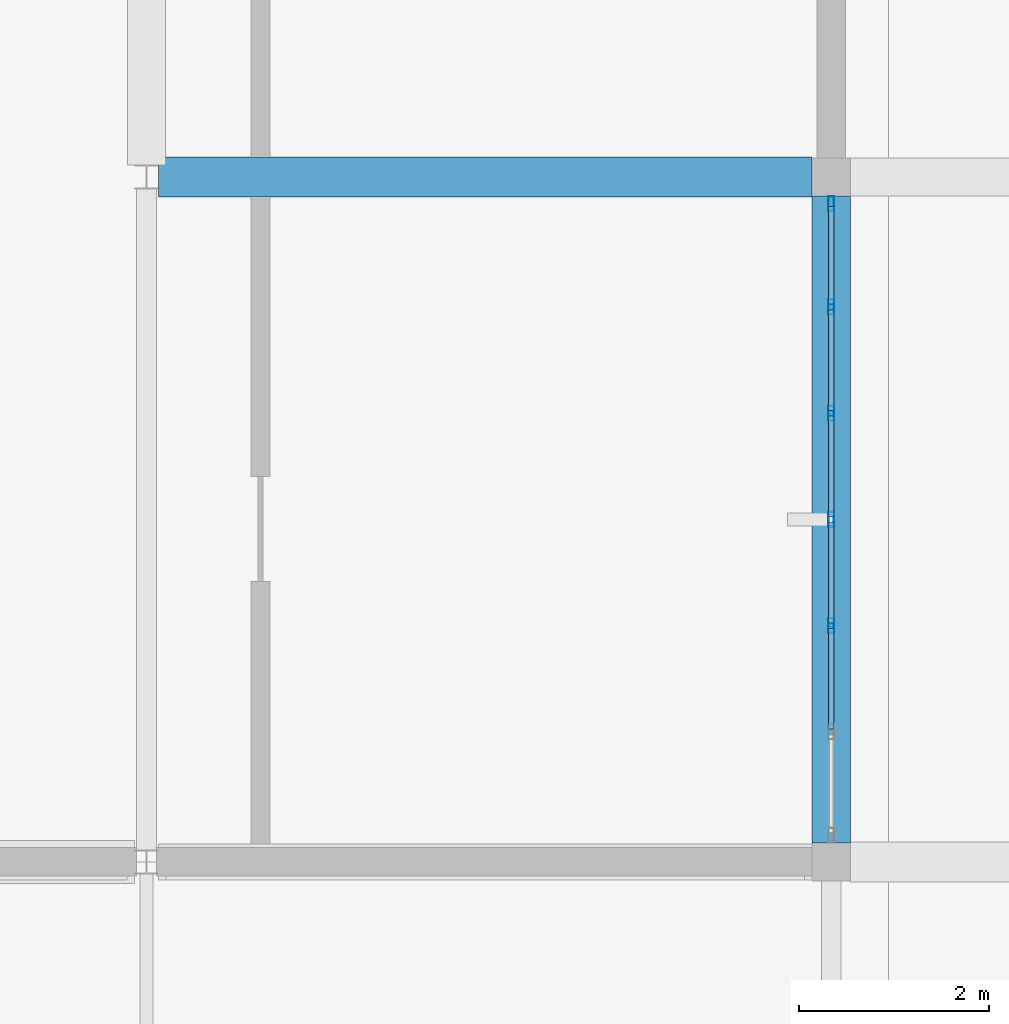
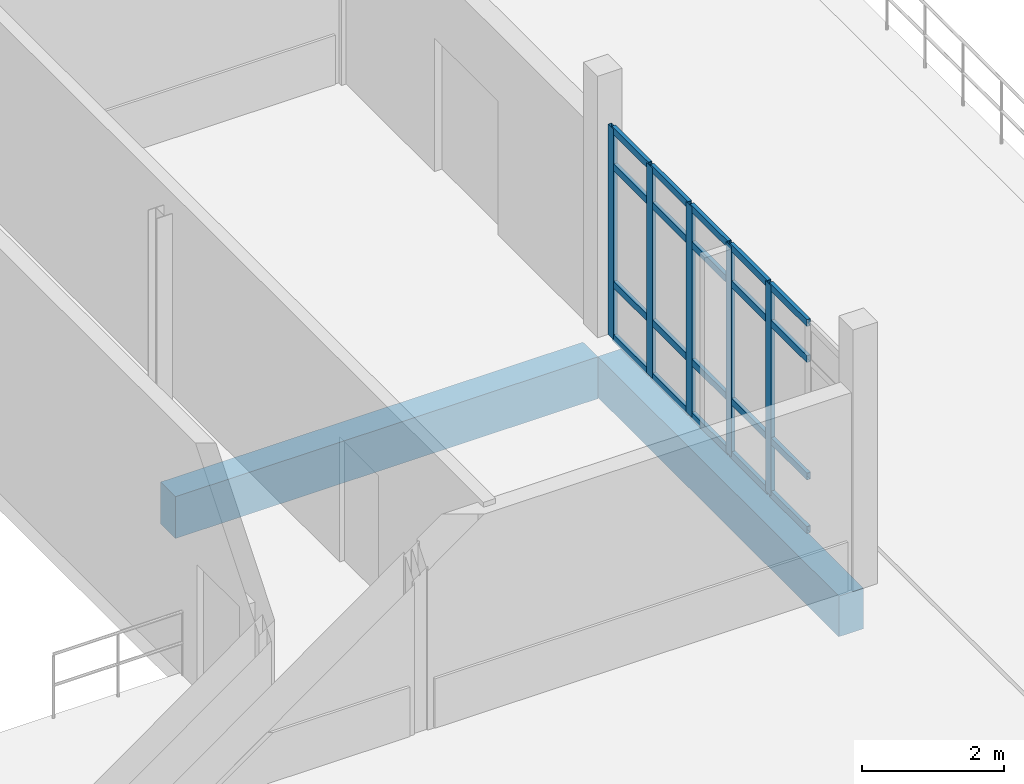
# One storey, part 5 of 41: 25 members, 2 beams, 1 element without a shape of its own.
"""IFC4 building model written with IfcOpenShell, lengths in metres."""

from ifc_helpers import new_model, si_unit, direction, frame, origin, origin_2d, place, context, subcontext, project, spatial, rectangle, hollow_rectangle, extrude, material, material_profile, profile_set, type_object, element, aggregate, save


model = new_model("IFC4")

# Units and contexts
model_context = context("Model", 3, precision=1e-05, world=origin(), true_north=direction((0.0, 1.0)))
body_context = subcontext(model_context, "Body", "Model", "MODEL_VIEW")
ifc_project = project(units=[si_unit("LENGTHUNIT", "METRE"), si_unit("AREAUNIT", "SQUARE_METRE"), si_unit("VOLUMEUNIT", "CUBIC_METRE"), si_unit("PLANEANGLEUNIT", "RADIAN"), si_unit("MASSUNIT", "GRAM", prefix="KILO")], contexts=[model_context])

# Site, building, storey
site_placement = place(None, origin())
site = spatial("IfcSite", under=ifc_project, at=site_placement, CompositionType="ELEMENT")
building_placement = place(site_placement, origin())
building = spatial("IfcBuilding", under=site, at=building_placement, Name="Kalluvel Institute of Natural Sciences", CompositionType="ELEMENT")
storey_placement = place(building_placement, frame((0.0, 0.0, 32.39990234375)))
storey = spatial("IfcBuildingStorey", under=building, at=storey_placement, Name="L07", CompositionType="ELEMENT", Elevation=32.39990234375)

# Beams
ifc_material_1 = material(Name="Concrete M40", Category="concrete")
ifc_material_profile_1 = material_profile(ifc_material_1, rectangle(XDim=0.39990234375, YDim=0.699951171875, at=origin_2d()), Name="RCB 400x700")
ifc_profile_set_1 = profile_set([ifc_material_profile_1], Name="Concrete M40")
beam_type_1 = type_object("IfcBeamType", Name="BM-RC400x700", PredefinedType="BEAM", material=ifc_profile_set_1)
beam_1_placement = place(storey_placement, frame((28.39990234375, 43.0, -0.669921875), z_axis=(0.0, 1.0, 0.0), x_axis=(-1.0, 0.0, 0.0)))
element("IfcBeam", 1, at=beam_1_placement, inside=storey, type_object=beam_type_1, Name="L07 girder GIR-L07-NS-X284-Y428", PredefinedType="BEAM", context=body_context, shape_type="SweptSolid", body=[
    extrude(rectangle(XDim=0.39990234375, YDim=0.699951171875, at=origin_2d()), origin(), (0.0, 0.0, 1.0), 6.800048828125),
])
ifc_material_profile_2 = material_profile(ifc_material_1, rectangle(XDim=0.419921875, YDim=0.719970703125, at=origin_2d()), Name="RCB 420x720")
ifc_profile_set_2 = profile_set([ifc_material_profile_2], Name="Concrete M40")
beam_type_2 = type_object("IfcBeamType", Name="BM-RC420x720", PredefinedType="BEAM", material=ifc_profile_set_2)
beam_2_placement = place(storey_placement, frame((21.324951171875, 50.0, -0.679931640625), z_axis=(1.0, 0.0, 0.0), x_axis=(0.0, 1.0, 0.0)))
element("IfcBeam", 2, at=beam_2_placement, inside=storey, type_object=beam_type_2, Name="L07 girder GIR-L07-EW-X212-Y500", PredefinedType="BEAM", context=body_context, shape_type="SweptSolid", body=[
    extrude(rectangle(XDim=0.419921875, YDim=0.719970703125, at=origin_2d()), origin(), (0.0, 0.0, 1.0), 6.875),
])

# Curtain wall, members
ifc_material_2 = material(Name="Aluminium AW-6063 T6", Category="aluminium")
curtain_wall_type = type_object("IfcCurtainWallType", Name="CW-DRY-45", PredefinedType="USERDEFINED", material=ifc_material_2)
curtain_wall_placement = place(storey_placement, origin())
curtain_wall = element("IfcCurtainWall", 3, at=curtain_wall_placement, inside=storey, type_object=curtain_wall_type, Name="L07 Gothic lancet curtain wall CWA-L07-X284-Y430", ObjectType="UNITISED LANCET FACADE", PredefinedType="USERDEFINED")
ifc_material_profile_3 = material_profile(ifc_material_2, hollow_rectangle(XDim=0.06005859375, YDim=0.159912109375, WallThickness=0.00390625, at=origin_2d()), Name="CWM 60x160")
ifc_profile_set_3 = profile_set([ifc_material_profile_3], Name="Aluminium AW-6063 T6")
member_type_1 = type_object("IfcMemberType", Name="CWM-60x160", PredefinedType="MULLION", material=ifc_profile_set_3)
member_1_placement = place(storey_placement, frame((28.39990234375, 45.283447265625, 0.0), z_axis=(0.0, 0.0, 1.0), x_axis=(-1.0, 0.0, 0.0)))
member_1 = element("IfcMember", 4, at=member_1_placement, type_object=member_type_1, Name="CW-03 mullion 3", PredefinedType="MULLION", context=body_context, shape_type="SweptSolid", body=[
    extrude(hollow_rectangle(XDim=0.06005859375, YDim=0.159912109375, WallThickness=0.00390625, at=origin_2d()), origin(), (0.0, 0.0, 1.0), 3.6201171875),
])
member_2_placement = place(storey_placement, frame((28.39990234375, 46.39990234375, 0.0), z_axis=(0.0, 0.0, 1.0), x_axis=(-1.0, 0.0, 0.0)))
member_2 = element("IfcMember", 5, at=member_2_placement, type_object=member_type_1, Name="CW-03 mullion 4", PredefinedType="MULLION", context=body_context, shape_type="SweptSolid", body=[
    extrude(hollow_rectangle(XDim=0.06005859375, YDim=0.159912109375, WallThickness=0.00390625, at=origin_2d()), origin(), (0.0, 0.0, 1.0), 3.6201171875),
])
member_3_placement = place(storey_placement, frame((28.39990234375, 47.5166015625, 0.0), z_axis=(0.0, 0.0, 1.0), x_axis=(-1.0, 0.0, 0.0)))
member_3 = element("IfcMember", 6, at=member_3_placement, type_object=member_type_1, Name="CW-03 mullion 5", PredefinedType="MULLION", context=body_context, shape_type="SweptSolid", body=[
    extrude(hollow_rectangle(XDim=0.06005859375, YDim=0.159912109375, WallThickness=0.00390625, at=origin_2d()), origin(), (0.0, 0.0, 1.0), 3.6201171875),
])
member_4_placement = place(storey_placement, frame((28.39990234375, 48.63330078125, 0.0), z_axis=(0.0, 0.0, 1.0), x_axis=(-1.0, 0.0, 0.0)))
member_4 = element("IfcMember", 7, at=member_4_placement, type_object=member_type_1, Name="CW-03 mullion 6", PredefinedType="MULLION", context=body_context, shape_type="SweptSolid", body=[
    extrude(hollow_rectangle(XDim=0.06005859375, YDim=0.159912109375, WallThickness=0.00390625, at=origin_2d()), origin(), (0.0, 0.0, 1.0), 3.6201171875),
])
member_5_placement = place(storey_placement, frame((28.39990234375, 49.719970703125, 0.0), z_axis=(0.0, 0.0, 1.0), x_axis=(-1.0, 0.0, 0.0)))
member_5 = element("IfcMember", 8, at=member_5_placement, type_object=member_type_1, Name="CW-03 mullion 7", PredefinedType="MULLION", context=body_context, shape_type="SweptSolid", body=[
    extrude(hollow_rectangle(XDim=0.06005859375, YDim=0.159912109375, WallThickness=0.00390625, at=origin_2d()), origin(), (0.0, 0.0, 1.0), 3.6201171875),
])
ifc_material_profile_4 = material_profile(ifc_material_2, hollow_rectangle(XDim=0.06005859375, YDim=0.1201171875, WallThickness=0.00390625, at=origin_2d()), Name="CWT 60x120")
ifc_profile_set_4 = profile_set([ifc_material_profile_4], Name="Aluminium AW-6063 T6")
member_type_2 = type_object("IfcMemberType", Name="CWT-60x120", PredefinedType="USERDEFINED", material=ifc_profile_set_4)
member_6_placement = place(storey_placement, frame((28.39990234375, 44.19677734375, 0.030029296875), z_axis=(0.0, 1.0, 0.0), x_axis=(-1.0, 0.0, 0.0)))
member_6 = element("IfcMember", 9, at=member_6_placement, type_object=member_type_2, Name="CW-03 transom 2.1", ObjectType="TRANSOM", PredefinedType="USERDEFINED", context=body_context, shape_type="SweptSolid", body=[
    extrude(hollow_rectangle(XDim=0.06005859375, YDim=0.1201171875, WallThickness=0.00390625, at=origin_2d()), origin(), (0.0, 0.0, 1.0), 1.056640625),
])
member_7_placement = place(storey_placement, frame((28.39990234375, 44.19677734375, 0.9501953125), z_axis=(0.0, 1.0, 0.0), x_axis=(-1.0, 0.0, 0.0)))
member_7 = element("IfcMember", 10, at=member_7_placement, type_object=member_type_2, Name="CW-03 transom 2.2", ObjectType="TRANSOM", PredefinedType="USERDEFINED", context=body_context, shape_type="SweptSolid", body=[
    extrude(hollow_rectangle(XDim=0.06005859375, YDim=0.1201171875, WallThickness=0.00390625, at=origin_2d()), origin(), (0.0, 0.0, 1.0), 1.056640625),
])
member_8_placement = place(storey_placement, frame((28.39990234375, 44.19677734375, 2.97021484375), z_axis=(0.0, 1.0, 0.0), x_axis=(-1.0, 0.0, 0.0)))
member_8 = element("IfcMember", 11, at=member_8_placement, type_object=member_type_2, Name="CW-03 transom 2.3", ObjectType="TRANSOM", PredefinedType="USERDEFINED", context=body_context, shape_type="SweptSolid", body=[
    extrude(hollow_rectangle(XDim=0.06005859375, YDim=0.1201171875, WallThickness=0.00390625, at=origin_2d()), origin(), (0.0, 0.0, 1.0), 1.056640625),
])
member_9_placement = place(storey_placement, frame((28.39990234375, 44.19677734375, 3.590087890625), z_axis=(0.0, 1.0, 0.0), x_axis=(-1.0, 0.0, 0.0)))
member_9 = element("IfcMember", 12, at=member_9_placement, type_object=member_type_2, Name="CW-03 transom 2.4", ObjectType="TRANSOM", PredefinedType="USERDEFINED", context=body_context, shape_type="SweptSolid", body=[
    extrude(hollow_rectangle(XDim=0.06005859375, YDim=0.1201171875, WallThickness=0.00390625, at=origin_2d()), origin(), (0.0, 0.0, 1.0), 1.056640625),
])
member_10_placement = place(storey_placement, frame((28.39990234375, 45.313232421875, 0.030029296875), z_axis=(0.0, 1.0, 0.0), x_axis=(-1.0, 0.0, 0.0)))
member_10 = element("IfcMember", 13, at=member_10_placement, type_object=member_type_2, Name="CW-03 transom 3.1", ObjectType="TRANSOM", PredefinedType="USERDEFINED", context=body_context, shape_type="SweptSolid", body=[
    extrude(hollow_rectangle(XDim=0.06005859375, YDim=0.1201171875, WallThickness=0.00390625, at=origin_2d()), origin(), (0.0, 0.0, 1.0), 1.056884765625),
])
member_11_placement = place(storey_placement, frame((28.39990234375, 45.313232421875, 0.9501953125), z_axis=(0.0, 1.0, 0.0), x_axis=(-1.0, 0.0, 0.0)))
member_11 = element("IfcMember", 14, at=member_11_placement, type_object=member_type_2, Name="CW-03 transom 3.2", ObjectType="TRANSOM", PredefinedType="USERDEFINED", context=body_context, shape_type="SweptSolid", body=[
    extrude(hollow_rectangle(XDim=0.06005859375, YDim=0.1201171875, WallThickness=0.00390625, at=origin_2d()), origin(), (0.0, 0.0, 1.0), 1.056884765625),
])
member_12_placement = place(storey_placement, frame((28.39990234375, 45.313232421875, 2.97021484375), z_axis=(0.0, 1.0, 0.0), x_axis=(-1.0, 0.0, 0.0)))
member_12 = element("IfcMember", 15, at=member_12_placement, type_object=member_type_2, Name="CW-03 transom 3.3", ObjectType="TRANSOM", PredefinedType="USERDEFINED", context=body_context, shape_type="SweptSolid", body=[
    extrude(hollow_rectangle(XDim=0.06005859375, YDim=0.1201171875, WallThickness=0.00390625, at=origin_2d()), origin(), (0.0, 0.0, 1.0), 1.056884765625),
])
member_13_placement = place(storey_placement, frame((28.39990234375, 45.313232421875, 3.590087890625), z_axis=(0.0, 1.0, 0.0), x_axis=(-1.0, 0.0, 0.0)))
member_13 = element("IfcMember", 16, at=member_13_placement, type_object=member_type_2, Name="CW-03 transom 3.4", ObjectType="TRANSOM", PredefinedType="USERDEFINED", context=body_context, shape_type="SweptSolid", body=[
    extrude(hollow_rectangle(XDim=0.06005859375, YDim=0.1201171875, WallThickness=0.00390625, at=origin_2d()), origin(), (0.0, 0.0, 1.0), 1.056884765625),
])
member_14_placement = place(storey_placement, frame((28.39990234375, 46.429931640625, 0.030029296875), z_axis=(0.0, 1.0, 0.0), x_axis=(-1.0, 0.0, 0.0)))
member_14 = element("IfcMember", 17, at=member_14_placement, type_object=member_type_2, Name="CW-03 transom 4.1", ObjectType="TRANSOM", PredefinedType="USERDEFINED", context=body_context, shape_type="SweptSolid", body=[
    extrude(hollow_rectangle(XDim=0.06005859375, YDim=0.1201171875, WallThickness=0.00390625, at=origin_2d()), origin(), (0.0, 0.0, 1.0), 1.056640625),
])
member_15_placement = place(storey_placement, frame((28.39990234375, 46.429931640625, 0.9501953125), z_axis=(0.0, 1.0, 0.0), x_axis=(-1.0, 0.0, 0.0)))
member_15 = element("IfcMember", 18, at=member_15_placement, type_object=member_type_2, Name="CW-03 transom 4.2", ObjectType="TRANSOM", PredefinedType="USERDEFINED", context=body_context, shape_type="SweptSolid", body=[
    extrude(hollow_rectangle(XDim=0.06005859375, YDim=0.1201171875, WallThickness=0.00390625, at=origin_2d()), origin(), (0.0, 0.0, 1.0), 1.056640625),
])
member_16_placement = place(storey_placement, frame((28.39990234375, 46.429931640625, 2.97021484375), z_axis=(0.0, 1.0, 0.0), x_axis=(-1.0, 0.0, 0.0)))
member_16 = element("IfcMember", 19, at=member_16_placement, type_object=member_type_2, Name="CW-03 transom 4.3", ObjectType="TRANSOM", PredefinedType="USERDEFINED", context=body_context, shape_type="SweptSolid", body=[
    extrude(hollow_rectangle(XDim=0.06005859375, YDim=0.1201171875, WallThickness=0.00390625, at=origin_2d()), origin(), (0.0, 0.0, 1.0), 1.056640625),
])
member_17_placement = place(storey_placement, frame((28.39990234375, 46.429931640625, 3.590087890625), z_axis=(0.0, 1.0, 0.0), x_axis=(-1.0, 0.0, 0.0)))
member_17 = element("IfcMember", 20, at=member_17_placement, type_object=member_type_2, Name="CW-03 transom 4.4", ObjectType="TRANSOM", PredefinedType="USERDEFINED", context=body_context, shape_type="SweptSolid", body=[
    extrude(hollow_rectangle(XDim=0.06005859375, YDim=0.1201171875, WallThickness=0.00390625, at=origin_2d()), origin(), (0.0, 0.0, 1.0), 1.056640625),
])
member_18_placement = place(storey_placement, frame((28.39990234375, 47.546630859375, 0.030029296875), z_axis=(0.0, 1.0, 0.0), x_axis=(-1.0, 0.0, 0.0)))
member_18 = element("IfcMember", 21, at=member_18_placement, type_object=member_type_2, Name="CW-03 transom 5.1", ObjectType="TRANSOM", PredefinedType="USERDEFINED", context=body_context, shape_type="SweptSolid", body=[
    extrude(hollow_rectangle(XDim=0.06005859375, YDim=0.1201171875, WallThickness=0.00390625, at=origin_2d()), origin(), (0.0, 0.0, 1.0), 1.056640625),
])
member_19_placement = place(storey_placement, frame((28.39990234375, 47.546630859375, 0.9501953125), z_axis=(0.0, 1.0, 0.0), x_axis=(-1.0, 0.0, 0.0)))
member_19 = element("IfcMember", 22, at=member_19_placement, type_object=member_type_2, Name="CW-03 transom 5.2", ObjectType="TRANSOM", PredefinedType="USERDEFINED", context=body_context, shape_type="SweptSolid", body=[
    extrude(hollow_rectangle(XDim=0.06005859375, YDim=0.1201171875, WallThickness=0.00390625, at=origin_2d()), origin(), (0.0, 0.0, 1.0), 1.056640625),
])
member_20_placement = place(storey_placement, frame((28.39990234375, 47.546630859375, 2.97021484375), z_axis=(0.0, 1.0, 0.0), x_axis=(-1.0, 0.0, 0.0)))
member_20 = element("IfcMember", 23, at=member_20_placement, type_object=member_type_2, Name="CW-03 transom 5.3", ObjectType="TRANSOM", PredefinedType="USERDEFINED", context=body_context, shape_type="SweptSolid", body=[
    extrude(hollow_rectangle(XDim=0.06005859375, YDim=0.1201171875, WallThickness=0.00390625, at=origin_2d()), origin(), (0.0, 0.0, 1.0), 1.056640625),
])
member_21_placement = place(storey_placement, frame((28.39990234375, 47.546630859375, 3.590087890625), z_axis=(0.0, 1.0, 0.0), x_axis=(-1.0, 0.0, 0.0)))
member_21 = element("IfcMember", 24, at=member_21_placement, type_object=member_type_2, Name="CW-03 transom 5.4", ObjectType="TRANSOM", PredefinedType="USERDEFINED", context=body_context, shape_type="SweptSolid", body=[
    extrude(hollow_rectangle(XDim=0.06005859375, YDim=0.1201171875, WallThickness=0.00390625, at=origin_2d()), origin(), (0.0, 0.0, 1.0), 1.056640625),
])
member_22_placement = place(storey_placement, frame((28.39990234375, 48.663330078125, 0.030029296875), z_axis=(0.0, 1.0, 0.0), x_axis=(-1.0, 0.0, 0.0)))
member_22 = element("IfcMember", 25, at=member_22_placement, type_object=member_type_2, Name="CW-03 transom 6.1", ObjectType="TRANSOM", PredefinedType="USERDEFINED", context=body_context, shape_type="SweptSolid", body=[
    extrude(hollow_rectangle(XDim=0.06005859375, YDim=0.1201171875, WallThickness=0.00390625, at=origin_2d()), origin(), (0.0, 0.0, 1.0), 1.026611328125),
])
member_23_placement = place(storey_placement, frame((28.39990234375, 48.663330078125, 0.9501953125), z_axis=(0.0, 1.0, 0.0), x_axis=(-1.0, 0.0, 0.0)))
member_23 = element("IfcMember", 26, at=member_23_placement, type_object=member_type_2, Name="CW-03 transom 6.2", ObjectType="TRANSOM", PredefinedType="USERDEFINED", context=body_context, shape_type="SweptSolid", body=[
    extrude(hollow_rectangle(XDim=0.06005859375, YDim=0.1201171875, WallThickness=0.00390625, at=origin_2d()), origin(), (0.0, 0.0, 1.0), 1.026611328125),
])
member_24_placement = place(storey_placement, frame((28.39990234375, 48.663330078125, 2.97021484375), z_axis=(0.0, 1.0, 0.0), x_axis=(-1.0, 0.0, 0.0)))
member_24 = element("IfcMember", 27, at=member_24_placement, type_object=member_type_2, Name="CW-03 transom 6.3", ObjectType="TRANSOM", PredefinedType="USERDEFINED", context=body_context, shape_type="SweptSolid", body=[
    extrude(hollow_rectangle(XDim=0.06005859375, YDim=0.1201171875, WallThickness=0.00390625, at=origin_2d()), origin(), (0.0, 0.0, 1.0), 1.026611328125),
])
member_25_placement = place(storey_placement, frame((28.39990234375, 48.663330078125, 3.590087890625), z_axis=(0.0, 1.0, 0.0), x_axis=(-1.0, 0.0, 0.0)))
member_25 = element("IfcMember", 28, at=member_25_placement, type_object=member_type_2, Name="CW-03 transom 6.4", ObjectType="TRANSOM", PredefinedType="USERDEFINED", context=body_context, shape_type="SweptSolid", body=[
    extrude(hollow_rectangle(XDim=0.06005859375, YDim=0.1201171875, WallThickness=0.00390625, at=origin_2d()), origin(), (0.0, 0.0, 1.0), 1.026611328125),
])
aggregate(curtain_wall, [member_1, member_2, member_3, member_4, member_5, member_6, member_7, member_8, member_9, member_10, member_11, member_12, member_13, member_14, member_15, member_16, member_17, member_18, member_19, member_20, member_21, member_22, member_23, member_24, member_25])

save(model, "model.ifc")
